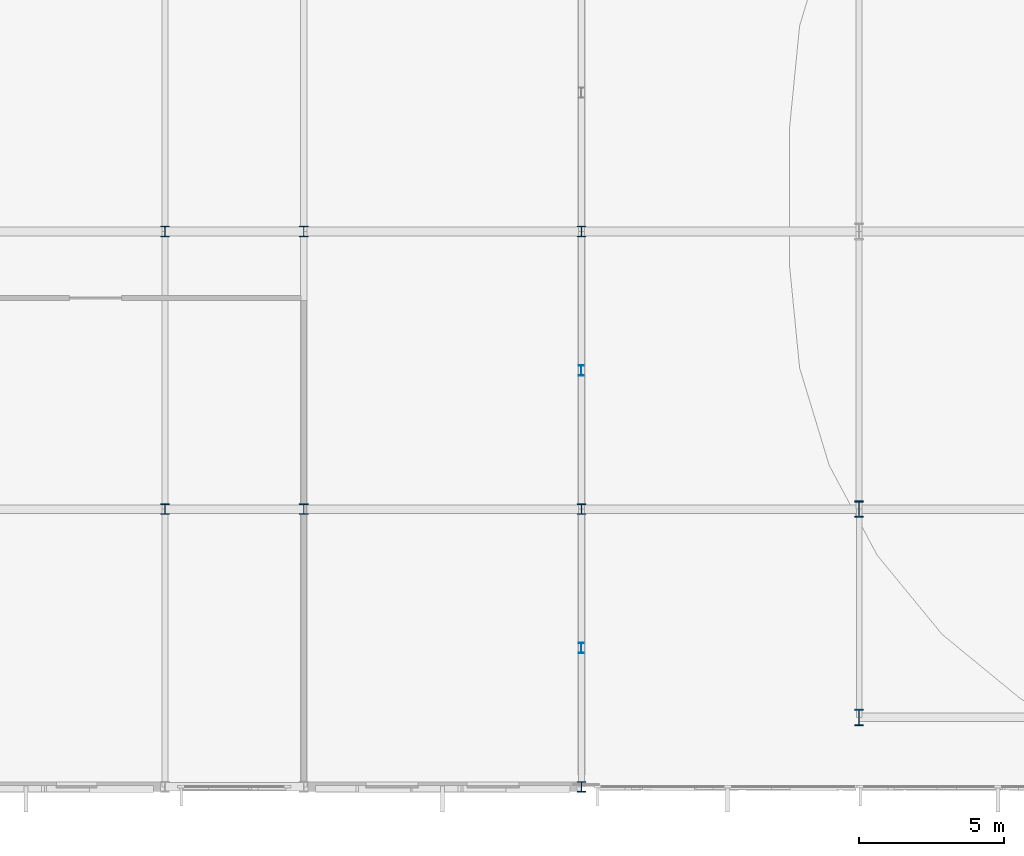
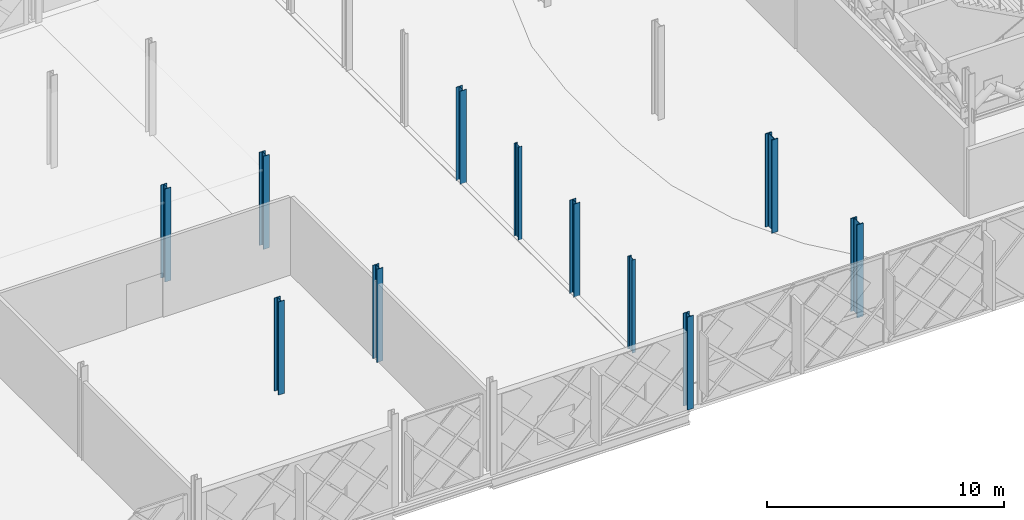
# One storey, part 4 of 77: 11 columns.
"""IFC4 building model written with IfcOpenShell, lengths in metres."""

from ifc_helpers import new_model, si_unit, direction, frame, origin, origin_2d, place, context, subcontext, project, spatial, i_section, extrude, material, material_profile, profile_set, type_object, element, save


model = new_model("IFC4")

# Units and contexts
model_context = context("Model", 3, precision=1e-05, world=origin(), true_north=direction((0.0, 1.0)))
body_context = subcontext(model_context, "Body", "Model", "MODEL_VIEW")
ifc_project = project(units=[si_unit("LENGTHUNIT", "METRE"), si_unit("AREAUNIT", "SQUARE_METRE"), si_unit("VOLUMEUNIT", "CUBIC_METRE"), si_unit("PLANEANGLEUNIT", "RADIAN"), si_unit("MASSUNIT", "GRAM", prefix="KILO")], contexts=[model_context])

# Site, building, storey
site_placement = place(None, origin())
site = spatial("IfcSite", under=ifc_project, at=site_placement, CompositionType="ELEMENT")
building_placement = place(site_placement, origin())
building = spatial("IfcBuilding", under=site, at=building_placement, Name="Zevrakil Square Congress Hotel", CompositionType="ELEMENT")
storey_placement = place(building_placement, frame((0.0, 0.0, 9.89990234375)))
storey = spatial("IfcBuildingStorey", under=building, at=storey_placement, Name="L03", CompositionType="ELEMENT", Elevation=9.89990234375)

# Columns
ifc_material_1 = material(Name="Steel S355", Category="steel")
ifc_material_profile_1 = material_profile(ifc_material_1, i_section(OverallWidth=0.300048828125, OverallDepth=0.360107421875, WebThickness=0.012451171875, FlangeThickness=0.0224609375, FilletRadius=0.027099609375, at=origin_2d()), Name="HEB 360")
ifc_profile_set_1 = profile_set([ifc_material_profile_1], Name="Steel S355")
column_type_1 = type_object("IfcColumnType", Name="COL-HEB360", PredefinedType="COLUMN", material=ifc_profile_set_1)
for number, where, z_axis, x_axis, name in (
    (1, (103.199951171875, 16.800048828125, 0.0), (0.0, 0.0, 1.0), (1.0, 0.0, 0.0), "L03 column C-151"),
    (2, (103.199951171875, 26.39990234375, 0.0), (0.0, 0.0, 1.0), (1.0, 0.0, 0.0), "L03 column C-152"),
    (3, (108.0, 16.800048828125, 0.0), (0.0, 0.0, 1.0), (1.0, 0.0, 0.0), "L03 column C-165"),
    (4, (108.0, 26.39990234375, 0.0), (0.0, 0.0, 1.0), (1.0, 0.0, 0.0), "L03 column C-166"),
    (5, (117.60009765625, 7.199951171875, 0.0), (0.0, 0.0, 1.0), (1.0, 0.0, 0.0), "L03 column C-178"),
    (6, (117.60009765625, 16.800048828125, 0.0), (0.0, 0.0, 1.0), (1.0, 0.0, 0.0), "L03 column C-180"),
    (7, (117.60009765625, 26.39990234375, 0.0), (0.0, 0.0, 1.0), (1.0, 0.0, 0.0), "L03 column C-182"),
):
    element("IfcColumn", number, at=place(storey_placement, frame(where, z_axis=z_axis, x_axis=x_axis)), inside=storey, type_object=column_type_1, Name=name, PredefinedType="COLUMN", context=body_context, shape_type="SweptSolid", body=[
        extrude(i_section(OverallWidth=0.300048828125, OverallDepth=0.360107421875, WebThickness=0.012451171875, FlangeThickness=0.0224609375, FilletRadius=0.027099609375, at=origin_2d()), origin(), (0.0, 0.0, 1.0), 4.800048828125),
    ])
ifc_material_2 = material(Name="Steel S355", Category="steel")
ifc_material_profile_2 = material_profile(ifc_material_2, i_section(OverallWidth=0.305908203125, OverallDepth=0.572021484375, WebThickness=0.02099609375, FlangeThickness=0.0400390625, FilletRadius=0.027099609375, at=origin_2d()), Name="HEM 550")
ifc_profile_set_2 = profile_set([ifc_material_profile_2], Name="Steel S355")
column_type_2 = type_object("IfcColumnType", Name="COL-HEM550", PredefinedType="COLUMN", material=ifc_profile_set_2)
for number, where, z_axis, x_axis, name in (
    (8, (127.199951171875, 9.60009765625, 0.0), (0.0, 0.0, 1.0), (1.0, 0.0, 0.0), "L03 column C-196"),
    (9, (127.199951171875, 16.800048828125, 0.0), (0.0, 0.0, 1.0), (1.0, 0.0, 0.0), "L03 column C-197"),
):
    element("IfcColumn", number, at=place(storey_placement, frame(where, z_axis=z_axis, x_axis=x_axis)), inside=storey, type_object=column_type_2, Name=name, PredefinedType="COLUMN", context=body_context, shape_type="SweptSolid", body=[
        extrude(i_section(OverallWidth=0.305908203125, OverallDepth=0.572021484375, WebThickness=0.02099609375, FlangeThickness=0.0400390625, FilletRadius=0.027099609375, at=origin_2d()), origin(), (0.0, 0.0, 1.0), 4.800048828125),
    ])
ifc_material_3 = material(Name="Steel S355", Category="steel")
ifc_material_profile_3 = material_profile(ifc_material_3, i_section(OverallWidth=0.169921875, OverallDepth=0.360107421875, WebThickness=0.008056640625, FlangeThickness=0.0126953125, FilletRadius=0.01806640625, at=origin_2d()), Name="IPE 360")
ifc_profile_set_3 = profile_set([ifc_material_profile_3], Name="Steel S355")
column_type_3 = type_object("IfcColumnType", Name="COL-PILASTER-SHS180", PredefinedType="PILASTER", material=ifc_profile_set_3)
for number, where, z_axis, x_axis, name in (
    (10, (117.60009765625, 12.0, 0.0), (0.0, 0.0, 1.0), (1.0, 0.0, 0.0), "L03 pilaster PL-05"),
    (11, (117.60009765625, 21.60009765625, 0.0), (0.0, 0.0, 1.0), (1.0, 0.0, 0.0), "L03 pilaster PL-06"),
):
    element("IfcColumn", number, at=place(storey_placement, frame(where, z_axis=z_axis, x_axis=x_axis)), inside=storey, type_object=column_type_3, Name=name, PredefinedType="PILASTER", context=body_context, shape_type="SweptSolid", body=[
        extrude(i_section(OverallWidth=0.169921875, OverallDepth=0.360107421875, WebThickness=0.008056640625, FlangeThickness=0.0126953125, FilletRadius=0.01806640625, at=origin_2d()), origin(), (0.0, 0.0, 1.0), 4.800048828125),
    ])

save(model, "model.ifc")
